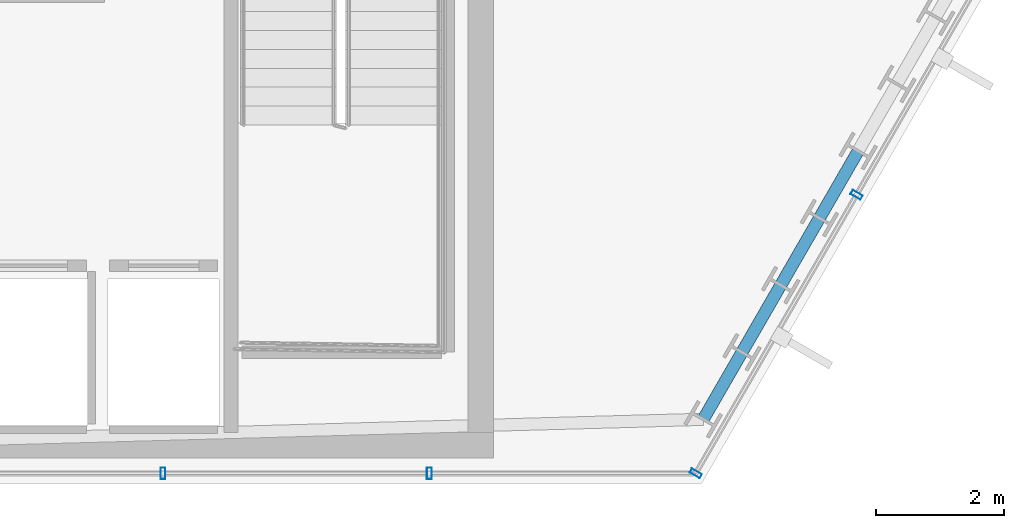
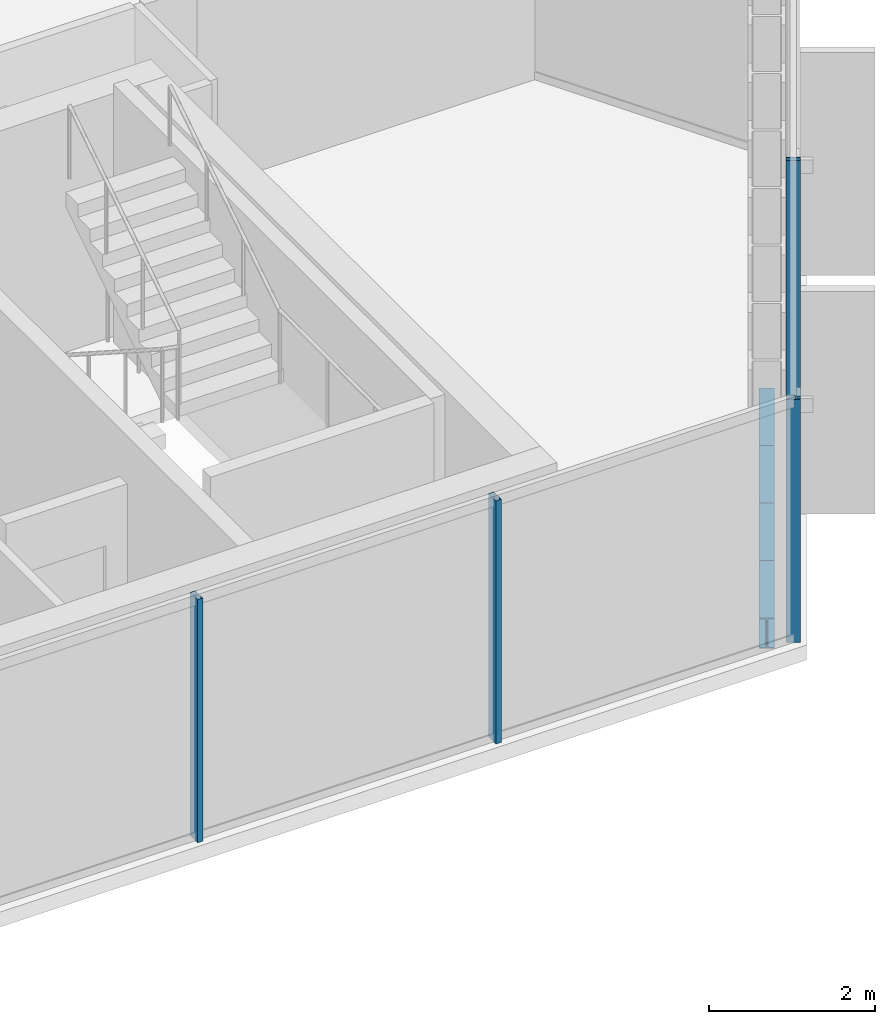
# One storey, part 15 of 35: 4 beams, 4 members, 2 elements without a shape of their own.
"""IFC4 building model written with IfcOpenShell, lengths in metres."""

import ifcopenshell
import ifcopenshell.guid

model = None  # the IFC model being written
_history = None  # IfcOwnerHistory: only IFC2X3 demands one
_inside = {}  # id of a spatial element -> (the spatial element, [elements in it])
_under = {}  # id of a project, library or spatial element -> (it, [spatial elements below it])
_declared = {}  # id of a project -> (the project, [libraries it declares])
_typed = {}  # id of a type object -> (the type object, [elements of that type])
_made_of = {}  # id of a material, layer set ... -> (it, [elements and type objects made of it])


def new_model(schema):
    """Start an empty IFC model of exactly this schema.

    Asked for "IFC4X3", IfcOpenShell would pick the latest addendum, in which some entities
    have other attributes; the version numbers below select the first issue.
    IFC2X3 requires an IfcOwnerHistory on every rooted entity: one is made here for all.
    """
    global model, _history
    if schema == "IFC4X3":
        model = ifcopenshell.file(schema_version=(4, 3, 0, 0))
    else:
        model = ifcopenshell.file(schema=schema)
    _inside.clear()
    _under.clear()
    _declared.clear()
    _typed.clear()
    _made_of.clear()
    _history = None
    if model.schema == "IFC2X3":
        org = make("IfcOrganization", Name="unknown")
        user = make(
            "IfcPersonAndOrganization",
            ThePerson=make("IfcPerson", FamilyName="unknown"),
            TheOrganization=org,
        )
        app = make(
            "IfcApplication",
            ApplicationDeveloper=org,
            Version="unknown",
            ApplicationFullName="unknown",
            ApplicationIdentifier="unknown",
        )
        _history = make(
            "IfcOwnerHistory",
            OwningUser=user,
            OwningApplication=app,
            ChangeAction="ADDED",
            CreationDate=0,
        )
    return model


def make(cls, **values):
    """One entity of the class cls with the attributes given. An attribute that is None is left unset."""
    return model.create_entity(
        cls, **{name: value for name, value in values.items() if value is not None}
    )


def rooted(cls, **values):
    """An entity with a GlobalId (a new one), such as an element, a storey or a relation."""
    return make(cls, GlobalId=ifcopenshell.guid.new(), OwnerHistory=_history, **values)


def si_unit(unit_type, name, prefix=None):
    """IfcSIUnit, for example si_unit("LENGTHUNIT", "METRE", prefix="MILLI")."""
    return make("IfcSIUnit", UnitType=unit_type, Prefix=prefix, Name=name)


def assignment(units):
    """IfcUnitAssignment: the units of a project."""
    return None if units is None else make("IfcUnitAssignment", Units=units)


def point(xyz):
    """IfcCartesianPoint."""
    return None if xyz is None else make("IfcCartesianPoint", Coordinates=xyz)


def direction(xyz):
    """IfcDirection."""
    return None if xyz is None else make("IfcDirection", DirectionRatios=xyz)


def frame(location, z_axis=None, x_axis=None):
    """IfcAxis2Placement3D, a coordinate frame: its origin and axes. An axis left out is left unset."""
    return make(
        "IfcAxis2Placement3D",
        Location=point(location),
        Axis=direction(z_axis),
        RefDirection=direction(x_axis),
    )


def frame_2d(location, x_axis=None):
    """IfcAxis2Placement2D, a coordinate frame in the plane: its origin and x axis."""
    return make(
        "IfcAxis2Placement2D", Location=point(location), RefDirection=direction(x_axis)
    )


def origin():
    """The frame at (0, 0, 0) with its axes left unset."""
    return frame((0.0, 0.0, 0.0))


def origin_2d():
    """The frame at (0, 0) in the plane with its x axis left unset."""
    return frame_2d((0.0, 0.0))


def place(relative_to, where):
    """IfcLocalPlacement: puts the frame where relative to a parent placement (None: the world)."""
    return make(
        "IfcLocalPlacement", PlacementRelTo=relative_to, RelativePlacement=where
    )


def context(
    kind, dimensions, precision=None, world=None, true_north=None, identifier=None
):
    """IfcGeometricRepresentationContext, for example the 3D "Model" context."""
    return make(
        "IfcGeometricRepresentationContext",
        ContextIdentifier=identifier,
        ContextType=kind,
        CoordinateSpaceDimension=dimensions,
        Precision=precision,
        WorldCoordinateSystem=world,
        TrueNorth=true_north,
    )


def subcontext(parent, identifier, kind, view, scale=None):
    """IfcGeometricRepresentationSubContext, for example "Body" below "Model"."""
    return make(
        "IfcGeometricRepresentationSubContext",
        ContextIdentifier=identifier,
        ContextType=kind,
        ParentContext=parent,
        TargetScale=scale,
        TargetView=view,
    )


def project(units=None, contexts=None):
    """IfcProject with its units and contexts."""
    return rooted(
        "IfcProject",
        Name="project",
        RepresentationContexts=contexts,
        UnitsInContext=assignment(units),
    )


def spatial(cls, under=None, at=None, **own):
    """A site, building, storey or space (cls), placed at a placement, below another one or the project."""
    s = rooted(cls, ObjectPlacement=at, **own)
    if under is not None:
        _under.setdefault(under.id(), (under, []))[1].append(s)
    return s


def profile(cls, at=None, kind="AREA", **sizes):
    """A parametric profile (cls). Its sizes go by their IFC names, for example OverallWidth=200.0."""
    return make(cls, ProfileType=kind, Position=at, **sizes)


def hollow_rectangle(**sizes):
    """IfcRectangleHollowProfileDef."""
    return profile("IfcRectangleHollowProfileDef", **sizes)


def i_section(**sizes):
    """IfcIShapeProfileDef."""
    return profile("IfcIShapeProfileDef", **sizes)


def extrude(swept, where, along, depth):
    """IfcExtrudedAreaSolid: the profile swept, set in the frame where, extruded along a direction by depth."""
    return make(
        "IfcExtrudedAreaSolid",
        SweptArea=swept,
        Position=where,
        ExtrudedDirection=direction(along),
        Depth=depth,
    )


def shape(context_of_items, identifier, shape_type, items):
    """IfcShapeRepresentation: the items that make up one representation, for example the "Body"."""
    return make(
        "IfcShapeRepresentation",
        ContextOfItems=context_of_items,
        RepresentationIdentifier=identifier,
        RepresentationType=shape_type,
        Items=items,
    )


def material(Name=None, Category=None):
    """IfcMaterial."""
    return make("IfcMaterial", Name=Name, Category=Category)


def layer(
    of_material, thickness, ventilated=None, Name=None, Category=None, Priority=None
):
    """IfcMaterialLayer: one layer of a wall or slab, of a material (None: an air gap)."""
    return make(
        "IfcMaterialLayer",
        Material=of_material,
        LayerThickness=thickness,
        IsVentilated=ventilated,
        Name=Name,
        Category=Category,
        Priority=Priority,
    )


def layer_set(layers, Name=None):
    """IfcMaterialLayerSet."""
    return make("IfcMaterialLayerSet", MaterialLayers=layers, LayerSetName=Name)


def material_profile(
    of_material, cross_section, Name=None, Category=None, Priority=None
):
    """IfcMaterialProfile: a cross section and its material."""
    return make(
        "IfcMaterialProfile",
        Name=Name,
        Material=of_material,
        Profile=cross_section,
        Priority=Priority,
        Category=Category,
    )


def profile_set(profiles, Name=None, composite=None):
    """IfcMaterialProfileSet."""
    return make(
        "IfcMaterialProfileSet",
        Name=Name,
        MaterialProfiles=profiles,
        CompositeProfile=composite,
    )


def made_of(thing, what):
    """Note that an element or type object is made of a material, layer set ...; save() writes the relation."""
    if what is not None:
        _made_of.setdefault(what.id(), (what, []))[1].append(thing)
    return thing


def type_object(cls, material=None, **own):
    """A type object (cls), such as IfcWallType, which elements share."""
    return made_of(rooted(cls, **own), material)


def element(
    cls,
    number,
    at=None,
    inside=None,
    cuts=None,
    type_object=None,
    material=None,
    context=None,
    identifier="Body",
    shape_type=None,
    held_by="IfcProductDefinitionShape",
    body=None,
    shapes=None,
    **own,
):
    """One element of the class cls, such as IfcWall. Its Tag is "e" and its number.

    at: its placement. inside: the storey or other place that contains it. cuts: it is an
    opening in that element (IfcRelVoidsElement). A single representation is given by context,
    identifier, shape_type and body (its items); several are given by shapes. held_by: the class
    of the entity that holds the representations. save() writes the other relations.
    """
    e = rooted(cls, Tag="e%d" % number, ObjectPlacement=at, **own)
    if body is not None:
        shapes = [shape(context, identifier, shape_type, body)]
    if shapes is not None:
        e.Representation = make(held_by, Representations=shapes)
    if inside is not None:
        _inside.setdefault(inside.id(), (inside, []))[1].append(e)
    if cuts is not None:
        rooted(
            "IfcRelVoidsElement", RelatingBuildingElement=cuts, RelatedOpeningElement=e
        )
    if type_object is not None:
        _typed.setdefault(type_object.id(), (type_object, []))[1].append(e)
    return made_of(e, material)


def aggregate(whole, parts):
    """IfcRelAggregates: a whole, such as a stair, and the parts it consists of."""
    return rooted("IfcRelAggregates", RelatingObject=whole, RelatedObjects=parts)


def save(model, path):
    """Write the relations noted so far, then the file.

    IfcRelAggregates (storeys below a building ...), IfcRelContainedInSpatialStructure (elements
    in a storey), IfcRelDefinesByType, IfcRelAssociatesMaterial and IfcRelDeclares: one each for
    every whole, place, type object, material and project.
    """
    for whole, parts in _under.values():
        aggregate(whole, parts)
    for where, things in _inside.values():
        rooted(
            "IfcRelContainedInSpatialStructure",
            RelatedElements=things,
            RelatingStructure=where,
        )
    for kind, things in _typed.values():
        rooted("IfcRelDefinesByType", RelatedObjects=things, RelatingType=kind)
    for what, things in _made_of.values():
        rooted("IfcRelAssociatesMaterial", RelatedObjects=things, RelatingMaterial=what)
    for by, libraries in _declared.values():
        rooted("IfcRelDeclares", RelatingContext=by, RelatedDefinitions=libraries)
    model.write(path)


model = new_model("IFC4")

# Units and contexts
model_context = context("Model", 3, precision=1e-05, world=origin(), true_north=direction((0.0, 1.0)))
body_context = subcontext(model_context, "Body", "Model", "MODEL_VIEW")
ifc_project = project(units=[si_unit("LENGTHUNIT", "METRE"), si_unit("AREAUNIT", "SQUARE_METRE"), si_unit("VOLUMEUNIT", "CUBIC_METRE"), si_unit("PLANEANGLEUNIT", "RADIAN"), si_unit("MASSUNIT", "GRAM", prefix="KILO")], contexts=[model_context])

# Site, building, storey
site_placement = place(None, origin())
site = spatial("IfcSite", under=ifc_project, at=site_placement, CompositionType="ELEMENT")
building_placement = place(site_placement, origin())
building = spatial("IfcBuilding", under=site, at=building_placement, Name="Ndaravel Arena Tower", CompositionType="ELEMENT")
storey_placement = place(building_placement, frame((0.0, 0.0, 176.39990234375)))
storey = spatial("IfcBuildingStorey", under=building, at=storey_placement, Name="L42", CompositionType="ELEMENT", Elevation=176.39990234375)

# Beams
ifc_material_1 = material(Name="Steel S355", Category="steel")
ifc_material_profile_1 = material_profile(ifc_material_1, i_section(OverallWidth=0.18994140625, OverallDepth=0.449951171875, WebThickness=0.009521484375, FlangeThickness=0.0146484375, FilletRadius=0.02099609375, at=origin_2d()), Name="IPE 450")
ifc_profile_set_1 = profile_set([ifc_material_profile_1], Name="Steel S355")
beam_type = type_object("IfcBeamType", Name="BM-SPAN-IPE450", PredefinedType="SPANDREL", material=ifc_profile_set_1)
beam_placement = place(storey_placement, frame((60.82080078125, 6.00341796875, -0.44482421875), z_axis=(0.500072242978, 0.865983690264, 0.0), x_axis=(-0.865983690264, 0.500072242978, 0.0)))
element("IfcBeam", 1, at=beam_placement, inside=storey, type_object=beam_type, Name="L42 Perimeter Spandrel Beam SP-02", PredefinedType="SPANDREL", context=body_context, shape_type="SweptSolid", body=[
    extrude(i_section(OverallWidth=0.18994140625, OverallDepth=0.449951171875, WebThickness=0.009521484375, FlangeThickness=0.0146484375, FilletRadius=0.02099609375, at=origin_2d()), origin(), (0.0, 0.0, 1.0), 1.208251953125),
])
for number, where, z_axis, x_axis, name in (
    (2, (61.425048828125, 7.0498046875, -0.44482421875), (0.499984757355, 0.866034203951, 0.0), (-0.866034203951, 0.499984757355, 0.0), "L42 Perimeter Spandrel Beam SP-03"),
    (3, (62.029296875, 8.096435546875, -0.44482421875), (0.499984757355, 0.866034203951, 0.0), (-0.866034203951, 0.499984757355, 0.0), "L42 Perimeter Spandrel Beam SP-04"),
    (4, (62.633544921875, 9.14306640625, -0.44482421875), (0.499984757355, 0.866034203951, 0.0), (-0.866034203951, 0.499984757355, 0.0), "L42 Perimeter Spandrel Beam SP-05"),
):
    element("IfcBeam", number, at=place(storey_placement, frame(where, z_axis=z_axis, x_axis=x_axis)), inside=storey, type_object=beam_type, Name=name, PredefinedType="SPANDREL", context=body_context, shape_type="SweptSolid", body=[
        extrude(i_section(OverallWidth=0.18994140625, OverallDepth=0.449951171875, WebThickness=0.009521484375, FlangeThickness=0.0146484375, FilletRadius=0.02099609375, at=origin_2d()), origin(), (0.0, 0.0, 1.0), 1.20849609375),
    ])

# Curtain wall, members
ifc_material_2 = material(Name="Aluminium", Category="aluminium")
ifc_layer_1 = layer(ifc_material_2, 0.179931640625)
ifc_layer_set_1 = layer_set([ifc_layer_1], Name="Aluminium")
curtain_wall_type_1 = type_object("IfcCurtainWallType", Name="CW-SYS-03", PredefinedType="NOTDEFINED", material=ifc_layer_set_1)
curtain_wall_1_placement = place(storey_placement, origin())
curtain_wall_1 = element("IfcCurtainWall", 5, at=curtain_wall_1_placement, inside=storey, type_object=curtain_wall_type_1, Name="L42 Faceted Crystal Curtain Wall CW-L42-E01", PredefinedType="NOTDEFINED")
ifc_material_3 = material(Name="Aluminium", Category="aluminium")
ifc_material_profile_2 = material_profile(ifc_material_3, hollow_rectangle(XDim=0.074951171875, YDim=0.179931640625, WallThickness=0.00390625, at=origin_2d()), Name="CW MULLION 75x180x4")
ifc_profile_set_2 = profile_set([ifc_material_profile_2], Name="Aluminium")
member_type = type_object("IfcMemberType", Name="MEM-CW-MUL180", PredefinedType="MULLION", material=ifc_profile_set_2)
member_1_placement = place(storey_placement, frame((52.390869140625, 5.159912109375, 0.0), z_axis=(0.0, 0.0, 1.0), x_axis=(1.0, 0.0, 0.0)))
member_1 = element("IfcMember", 6, at=member_1_placement, type_object=member_type, Name="CW-L42-E01 Mullion 07", PredefinedType="MULLION", context=body_context, shape_type="SweptSolid", body=[
    extrude(hollow_rectangle(XDim=0.074951171875, YDim=0.179931640625, WallThickness=0.00390625, at=origin_2d()), origin(), (0.0, 0.0, 1.0), 3.580078125),
])
member_2_placement = place(storey_placement, frame((56.547119140625, 5.159912109375, 0.0), z_axis=(0.0, 0.0, 1.0), x_axis=(1.0, 0.0, 0.0)))
member_2 = element("IfcMember", 7, at=member_2_placement, type_object=member_type, Name="CW-L42-E01 Mullion 08", PredefinedType="MULLION", context=body_context, shape_type="SweptSolid", body=[
    extrude(hollow_rectangle(XDim=0.074951171875, YDim=0.179931640625, WallThickness=0.00390625, at=origin_2d()), origin(), (0.0, 0.0, 1.0), 3.580078125),
])
aggregate(curtain_wall_1, [member_1, member_2])

ifc_material_4 = material(Name="Aluminium", Category="aluminium")
ifc_layer_2 = layer(ifc_material_4, 0.179931640625)
ifc_layer_set_2 = layer_set([ifc_layer_2], Name="Aluminium")
curtain_wall_type_2 = type_object("IfcCurtainWallType", Name="CW-SYS-01", PredefinedType="NOTDEFINED", material=ifc_layer_set_2)
curtain_wall_2_placement = place(storey_placement, origin())
curtain_wall_2 = element("IfcCurtainWall", 8, at=curtain_wall_2_placement, inside=storey, type_object=curtain_wall_type_2, Name="L42 Faceted Crystal Curtain Wall CW-L42-E02", PredefinedType="NOTDEFINED")
member_3_placement = place(storey_placement, frame((60.703369140625, 5.159912109375, 0.0), z_axis=(0.0, 0.0, 1.0), x_axis=(0.5, 0.866025403784, 0.0)))
member_3 = element("IfcMember", 9, at=member_3_placement, type_object=member_type, Name="CW-L42-E02 Mullion 00", PredefinedType="MULLION", context=body_context, shape_type="SweptSolid", body=[
    extrude(hollow_rectangle(XDim=0.074951171875, YDim=0.179931640625, WallThickness=0.00390625, at=origin_2d()), origin(), (0.0, 0.0, 1.0), 3.580078125),
])
member_4_placement = place(storey_placement, frame((63.212890625, 9.506591796875, 0.0), z_axis=(0.0, 0.0, 1.0), x_axis=(0.5, 0.866025403784, 0.0)))
member_4 = element("IfcMember", 10, at=member_4_placement, type_object=member_type, Name="CW-L42-E02 Mullion 01", PredefinedType="MULLION", context=body_context, shape_type="SweptSolid", body=[
    extrude(hollow_rectangle(XDim=0.074951171875, YDim=0.179931640625, WallThickness=0.00390625, at=origin_2d()), origin(), (0.0, 0.0, 1.0), 3.580078125),
])
aggregate(curtain_wall_2, [member_3, member_4])

save(model, "model.ifc")
